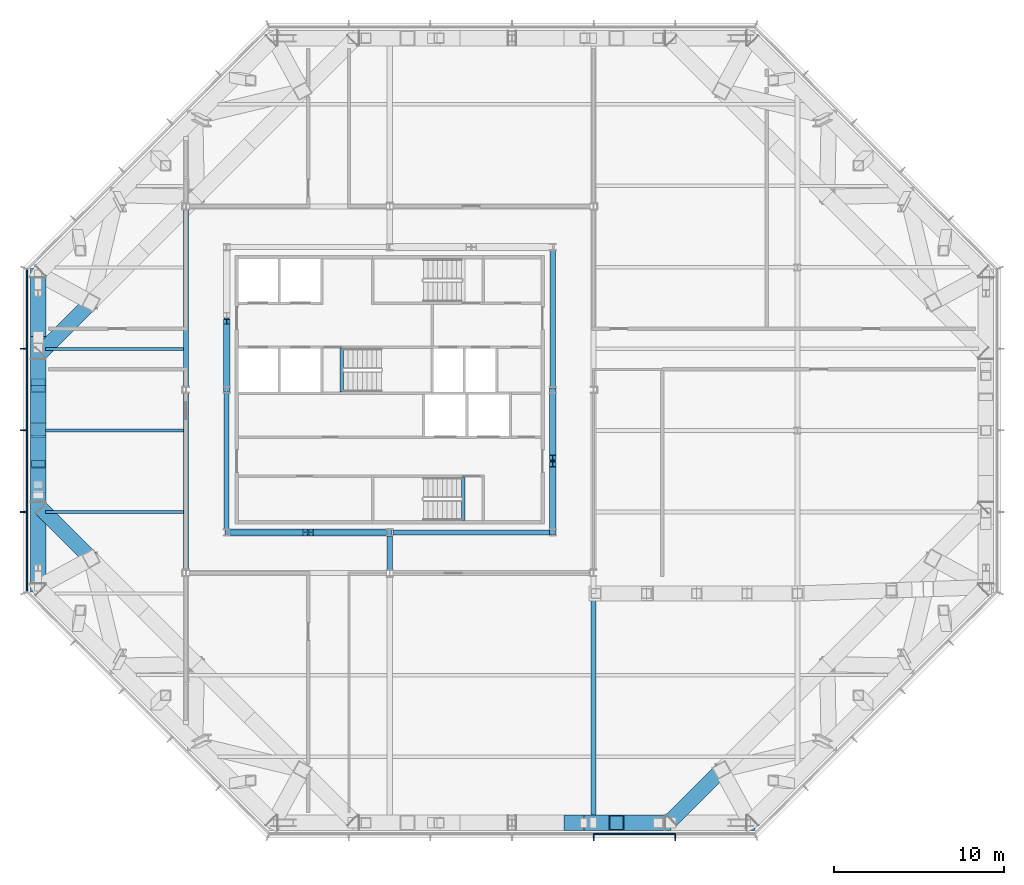
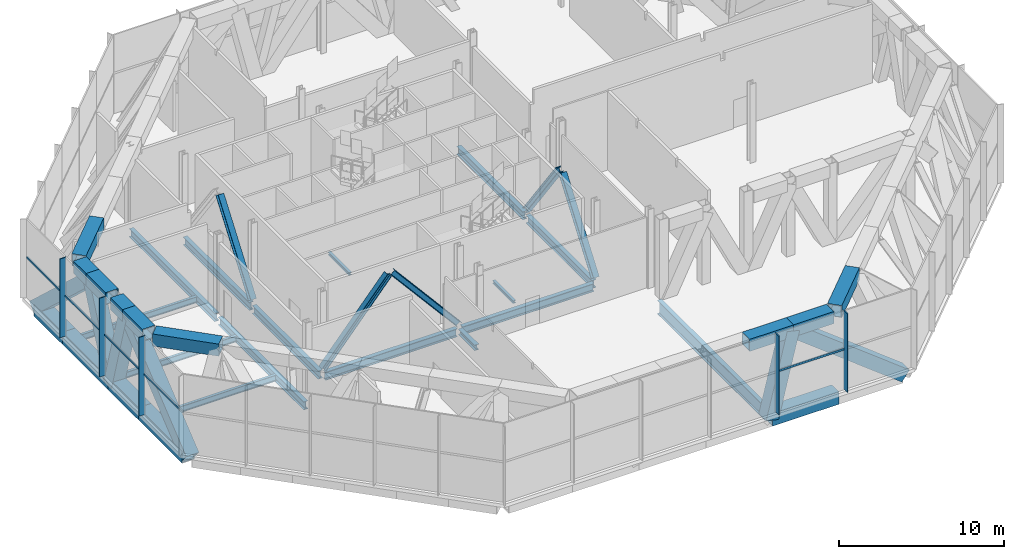
# One storey, part 4 of 18: 35 beams, 15 members, 2 elements without a shape of their own.
"""IFC4 building model written with IfcOpenShell, lengths in metres."""

from ifc_helpers import new_model, si_unit, direction, frame, origin, origin_2d, place, context, subcontext, project, spatial, rectangle, hollow_rectangle, i_section, extrude, material, material_profile, profile_set, type_object, element, aggregate, save


model = new_model("IFC4")

# Units and contexts
model_context = context("Model", 3, precision=1e-05, world=origin(), true_north=direction((0.0, 1.0)))
body_context = subcontext(model_context, "Body", "Model", "MODEL_VIEW")
ifc_project = project(units=[si_unit("LENGTHUNIT", "METRE"), si_unit("AREAUNIT", "SQUARE_METRE"), si_unit("VOLUMEUNIT", "CUBIC_METRE"), si_unit("PLANEANGLEUNIT", "RADIAN"), si_unit("MASSUNIT", "GRAM", prefix="KILO")], contexts=[model_context])

# Site, building, storey
site_placement = place(None, origin())
site = spatial("IfcSite", under=ifc_project, at=site_placement, CompositionType="ELEMENT")
building_placement = place(site_placement, origin())
building = spatial("IfcBuilding", under=site, at=building_placement, Name="Cairn Pilgrim Tower", CompositionType="ELEMENT")
storey_placement = place(building_placement, frame((0.0, 0.0, 204.60009765625)))
storey = spatial("IfcBuildingStorey", under=building, at=storey_placement, Name="L52", CompositionType="ELEMENT", Elevation=204.60009765625)

# Beams
ifc_material_1 = material(Name="Structural steel S460M", Category="steel")
ifc_material_profile_1 = material_profile(ifc_material_1, hollow_rectangle(XDim=0.89990234375, YDim=0.89990234375, WallThickness=0.050048828125, at=origin_2d()), Name="BOX 900x900x50")
ifc_profile_set_1 = profile_set([ifc_material_profile_1], Name="Structural steel S460M")
beam_type_1 = type_object("IfcBeamType", Name="BOX 900x900x50 CHORD", PredefinedType="USERDEFINED", material=ifc_profile_set_1)
beam_1_placement = place(storey_placement, frame((19.07568359375, -23.10009765625, -0.7001953125), z_axis=(1.0, 0.0, 0.0), x_axis=(0.0, 1.0, 0.0)))
element("IfcBeam", 1, at=beam_1_placement, inside=storey, type_object=beam_type_1, Name="BT52-S-BC5", ObjectType="CHORD", PredefinedType="USERDEFINED", context=body_context, shape_type="SweptSolid", body=[
    extrude(hollow_rectangle(XDim=0.89990234375, YDim=0.89990234375, WallThickness=0.050048828125, at=origin_2d()), origin(), (0.0, 0.0, 1.0), 4.67578125),
])
beam_2_placement = place(storey_placement, frame((17.4755859375, -23.10009765625, 5.39990234375), z_axis=(1.0, 0.0, 0.0), x_axis=(0.0, 1.0, 0.0)))
element("IfcBeam", 2, at=beam_2_placement, inside=storey, type_object=beam_type_1, Name="BT52-S-TC5", ObjectType="CHORD", PredefinedType="USERDEFINED", context=body_context, shape_type="SweptSolid", body=[
    extrude(hollow_rectangle(XDim=0.89990234375, YDim=0.89990234375, WallThickness=0.050048828125, at=origin_2d()), origin(), (0.0, 0.0, 1.0), 3.075927734375),
])
beam_3_placement = place(storey_placement, frame((20.551513671875, -23.10009765625, 5.39990234375), z_axis=(1.0, 0.0, 0.0), x_axis=(0.0, 1.0, 0.0)))
element("IfcBeam", 3, at=beam_3_placement, inside=storey, type_object=beam_type_1, Name="BT52-S-TC6", ObjectType="CHORD", PredefinedType="USERDEFINED", context=body_context, shape_type="SweptSolid", body=[
    extrude(hollow_rectangle(XDim=0.89990234375, YDim=0.89990234375, WallThickness=0.050048828125, at=origin_2d()), origin(), (0.0, 0.0, 1.0), 2.83935546875),
])
beam_4_placement = place(storey_placement, frame((23.79443359375, -22.932861328125, 5.39990234375), z_axis=(0.707077470453, 0.707136090705, 0.0), x_axis=(-0.707136090705, 0.707077470453, 0.0)))
element("IfcBeam", 4, at=beam_4_placement, inside=storey, type_object=beam_type_1, Name="BT52-SE-TC1", ObjectType="CHORD", PredefinedType="USERDEFINED", context=body_context, shape_type="SweptSolid", body=[
    extrude(hollow_rectangle(XDim=0.89990234375, YDim=0.89990234375, WallThickness=0.050048828125, at=origin_2d()), origin(), (0.0, 0.0, 1.0), 4.164794921875),
])
beam_5_placement = place(storey_placement, frame((-10.387939453125, 7.539306640625, 5.39990234375), z_axis=(-0.707106781187, -0.707106781187, 0.0), x_axis=(0.707106781187, -0.707106781187, 0.0)))
element("IfcBeam", 5, at=beam_5_placement, inside=storey, type_object=beam_type_1, Name="BT52-NW-TC6", ObjectType="CHORD", PredefinedType="USERDEFINED", context=body_context, shape_type="SweptSolid", body=[
    extrude(hollow_rectangle(XDim=0.89990234375, YDim=0.89990234375, WallThickness=0.050048828125, at=origin_2d()), origin(), (0.0, 0.0, 1.0), 4.16455078125),
])
beam_6_placement = place(storey_placement, frame((-13.5, 8.99072265625, -0.7001953125), z_axis=(0.0, -1.0, 0.0), x_axis=(1.0, 0.0, 0.0)))
element("IfcBeam", 6, at=beam_6_placement, inside=storey, type_object=beam_type_1, Name="BT52-W-BC1", ObjectType="CHORD", PredefinedType="USERDEFINED", context=body_context, shape_type="SweptSolid", body=[
    extrude(hollow_rectangle(XDim=0.89990234375, YDim=0.89990234375, WallThickness=0.050048828125, at=origin_2d()), origin(), (0.0, 0.0, 1.0), 3.454345703125),
])
beam_7_placement = place(storey_placement, frame((-13.5, 4.19091796875, 5.39990234375), z_axis=(0.0, -1.0, 0.0), x_axis=(1.0, 0.0, 0.0)))
element("IfcBeam", 7, at=beam_7_placement, inside=storey, type_object=beam_type_1, Name="BT52-W-TC1", ObjectType="CHORD", PredefinedType="USERDEFINED", context=body_context, shape_type="SweptSolid", body=[
    extrude(hollow_rectangle(XDim=0.89990234375, YDim=0.89990234375, WallThickness=0.050048828125, at=origin_2d()), origin(), (0.0, 0.0, 1.0), 1.53466796875),
])
beam_8_placement = place(storey_placement, frame((-13.5, 5.536376953125, -0.7001953125), z_axis=(0.0, -1.0, 0.0), x_axis=(1.0, 0.0, 0.0)))
element("IfcBeam", 8, at=beam_8_placement, inside=storey, type_object=beam_type_1, Name="BT52-W-BC2", ObjectType="CHORD", PredefinedType="USERDEFINED", context=body_context, shape_type="SweptSolid", body=[
    extrude(hollow_rectangle(XDim=0.89990234375, YDim=0.89990234375, WallThickness=0.050048828125, at=origin_2d()), origin(), (0.0, 0.0, 1.0), 5.536376953125),
])
beam_9_placement = place(storey_placement, frame((-13.5, 2.65625, 5.39990234375), z_axis=(0.0, -1.0, 0.0), x_axis=(1.0, 0.0, 0.0)))
element("IfcBeam", 9, at=beam_9_placement, inside=storey, type_object=beam_type_1, Name="BT52-W-TC2", ObjectType="CHORD", PredefinedType="USERDEFINED", context=body_context, shape_type="SweptSolid", body=[
    extrude(hollow_rectangle(XDim=0.89990234375, YDim=0.89990234375, WallThickness=0.050048828125, at=origin_2d()), origin(), (0.0, 0.0, 1.0), 2.356201171875),
])
beam_10_placement = place(storey_placement, frame((-13.5, 0.0, -0.7001953125), z_axis=(0.0, -1.0, 0.0), x_axis=(1.0, 0.0, 0.0)))
element("IfcBeam", 10, at=beam_10_placement, inside=storey, type_object=beam_type_1, Name="BT52-W-BC3", ObjectType="CHORD", PredefinedType="USERDEFINED", context=body_context, shape_type="SweptSolid", body=[
    extrude(hollow_rectangle(XDim=0.89990234375, YDim=0.89990234375, WallThickness=0.050048828125, at=origin_2d()), origin(), (0.0, 0.0, 1.0), 3.69091796875),
])
beam_11_placement = place(storey_placement, frame((-13.5, -0.300048828125, 5.39990234375), z_axis=(0.0, -1.0, 0.0), x_axis=(1.0, 0.0, 0.0)))
element("IfcBeam", 11, at=beam_11_placement, inside=storey, type_object=beam_type_1, Name="BT52-W-TC3", ObjectType="CHORD", PredefinedType="USERDEFINED", context=body_context, shape_type="SweptSolid", body=[
    extrude(hollow_rectangle(XDim=0.89990234375, YDim=0.89990234375, WallThickness=0.050048828125, at=origin_2d()), origin(), (0.0, 0.0, 1.0), 1.470947265625),
])
beam_12_placement = place(storey_placement, frame((-13.5, -3.69091796875, -0.7001953125), z_axis=(0.0, -1.0, 0.0), x_axis=(1.0, 0.0, 0.0)))
element("IfcBeam", 12, at=beam_12_placement, inside=storey, type_object=beam_type_1, Name="BT52-W-BC4", ObjectType="CHORD", PredefinedType="USERDEFINED", context=body_context, shape_type="SweptSolid", body=[
    extrude(hollow_rectangle(XDim=0.89990234375, YDim=0.89990234375, WallThickness=0.050048828125, at=origin_2d()), origin(), (0.0, 0.0, 1.0), 5.2998046875),
])
beam_13_placement = place(storey_placement, frame((-13.5, -1.77099609375, 5.39990234375), z_axis=(0.0, -1.0, 0.0), x_axis=(1.0, 0.0, 0.0)))
element("IfcBeam", 13, at=beam_13_placement, inside=storey, type_object=beam_type_1, Name="BT52-W-TC4", ObjectType="CHORD", PredefinedType="USERDEFINED", context=body_context, shape_type="SweptSolid", body=[
    extrude(hollow_rectangle(XDim=0.89990234375, YDim=0.89990234375, WallThickness=0.050048828125, at=origin_2d()), origin(), (0.0, 0.0, 1.0), 2.419921875),
])
beam_14_placement = place(storey_placement, frame((-13.332763671875, -4.594482421875, 5.39990234375), z_axis=(0.707106781187, -0.707106781187, 0.0), x_axis=(0.707106781187, 0.707106781187, 0.0)))
element("IfcBeam", 14, at=beam_14_placement, inside=storey, type_object=beam_type_1, Name="BT52-SW-TC1", ObjectType="CHORD", PredefinedType="USERDEFINED", context=body_context, shape_type="SweptSolid", body=[
    extrude(hollow_rectangle(XDim=0.89990234375, YDim=0.89990234375, WallThickness=0.050048828125, at=origin_2d()), origin(), (0.0, 0.0, 1.0), 4.16455078125),
])
ifc_material_profile_2 = material_profile(ifc_material_1, hollow_rectangle(XDim=0.89990234375, YDim=0.89990234375, WallThickness=0.050048828125, at=origin_2d()), Name="BOX 900x900x50")
ifc_profile_set_2 = profile_set([ifc_material_profile_2], Name="Structural steel S460M")
beam_type_2 = type_object("IfcBeamType", Name="BOX 900x900x50 DIAGONAL", PredefinedType="USERDEFINED", material=ifc_profile_set_2)
beam_15_placement = place(storey_placement, frame((19.07568359375, -23.10009765625, -0.7001953125), z_axis=(0.235151316301, 0.0, 0.971958774044), x_axis=(0.0, 1.0, 0.0)))
element("IfcBeam", 15, at=beam_15_placement, inside=storey, type_object=beam_type_2, Name="BT52-S-D5", ObjectType="DIAGONAL", PredefinedType="USERDEFINED", context=body_context, shape_type="SweptSolid", body=[
    extrude(hollow_rectangle(XDim=0.89990234375, YDim=0.89990234375, WallThickness=0.050048828125, at=origin_2d()), origin(), (0.0, 0.0, 1.0), 6.276123046875),
])
beam_16_placement = place(storey_placement, frame((20.551513671875, -23.10009765625, 5.39990234375), z_axis=(0.790589750106, 0.0, -0.612346182341), x_axis=(0.0, 1.0, 0.0)))
element("IfcBeam", 16, at=beam_16_placement, inside=storey, type_object=beam_type_2, Name="BT52-S-D6", ObjectType="DIAGONAL", PredefinedType="USERDEFINED", context=body_context, shape_type="SweptSolid", body=[
    extrude(hollow_rectangle(XDim=0.89990234375, YDim=0.89990234375, WallThickness=0.050048828125, at=origin_2d()), origin(), (0.0, 0.0, 1.0), 9.9619140625),
])
beam_17_placement = place(storey_placement, frame((-13.5, 9.227294921875, -0.7001953125), z_axis=(0.0, -0.732881738853, 0.680356051532), x_axis=(1.0, 0.0, 0.0)))
element("IfcBeam", 17, at=beam_17_placement, inside=storey, type_object=beam_type_2, Name="BT52-W-D1", ObjectType="DIAGONAL", PredefinedType="USERDEFINED", context=body_context, shape_type="SweptSolid", body=[
    extrude(hollow_rectangle(XDim=0.89990234375, YDim=0.89990234375, WallThickness=0.050048828125, at=origin_2d()), origin(), (0.0, 0.0, 1.0), 8.966064453125),
])
beam_18_placement = place(storey_placement, frame((-13.5, 2.65625, 5.39990234375), z_axis=(0.0, -0.399235922188, -0.916848230862), x_axis=(1.0, 0.0, 0.0)))
element("IfcBeam", 18, at=beam_18_placement, inside=storey, type_object=beam_type_2, Name="BT52-W-D2", ObjectType="DIAGONAL", PredefinedType="USERDEFINED", context=body_context, shape_type="SweptSolid", body=[
    extrude(hollow_rectangle(XDim=0.89990234375, YDim=0.89990234375, WallThickness=0.050048828125, at=origin_2d()), origin(), (0.0, 0.0, 1.0), 6.6533203125),
])
beam_19_placement = place(storey_placement, frame((-13.5, 0.0, -0.7001953125), z_axis=(0.0, -0.278810194864, 0.960346226754), x_axis=(1.0, 0.0, 0.0)))
element("IfcBeam", 19, at=beam_19_placement, inside=storey, type_object=beam_type_2, Name="BT52-W-D3", ObjectType="DIAGONAL", PredefinedType="USERDEFINED", context=body_context, shape_type="SweptSolid", body=[
    extrude(hollow_rectangle(XDim=0.89990234375, YDim=0.89990234375, WallThickness=0.050048828125, at=origin_2d()), origin(), (0.0, 0.0, 1.0), 6.35205078125),
])
beam_20_placement = place(storey_placement, frame((-13.5, -1.77099609375, 5.39990234375), z_axis=(0.0, -0.773983268274, -0.633206048954), x_axis=(1.0, 0.0, 0.0)))
element("IfcBeam", 20, at=beam_20_placement, inside=storey, type_object=beam_type_2, Name="BT52-W-D4", ObjectType="DIAGONAL", PredefinedType="USERDEFINED", context=body_context, shape_type="SweptSolid", body=[
    extrude(hollow_rectangle(XDim=0.89990234375, YDim=0.89990234375, WallThickness=0.050048828125, at=origin_2d()), origin(), (0.0, 0.0, 1.0), 9.6337890625),
])

# Curtain wall, members
ifc_material_2 = material(Name="Aluminium alloy 6063-T6 bronze anodised with Bronze tinted laminated low-E glass 8+16+8.8", Category="aluminium")
curtain_wall_type = type_object("IfcCurtainWallType", Name="PLANT LOUVRE CURTAIN WALL", PredefinedType="NOTDEFINED", material=ifc_material_2)
curtain_wall_1_placement = place(storey_placement, origin())
curtain_wall_1 = element("IfcCurtainWall", 21, at=curtain_wall_1_placement, inside=storey, type_object=curtain_wall_type, Name="Plant Louvre Curtain Wall S", PredefinedType="NOTDEFINED")
ifc_material_3 = material(Name="Aluminium alloy 6063-T6 bronze anodised", Category="aluminium")
ifc_material_profile_3 = material_profile(ifc_material_3, rectangle(XDim=0.449951171875, YDim=0.06005859375, at=origin_2d()), Name="FIN MULLION 60x450 BRONZE")
ifc_profile_set_3 = profile_set([ifc_material_profile_3], Name="Aluminium alloy 6063-T6 bronze anodised")
member_type_1 = type_object("IfcMemberType", Name="FIN MULLION 60x450 BRONZE", PredefinedType="MULLION", material=ifc_profile_set_3)
member_1_placement = place(storey_placement, frame((19.199951171875, -23.945068359375, 0.0), z_axis=(0.0, 0.0, 1.0), x_axis=(0.0, -1.0, 0.0)))
member_1 = element("IfcMember", 22, at=member_1_placement, type_object=member_type_1, Name="Fin mullion S5", PredefinedType="MULLION", context=body_context, shape_type="SweptSolid", body=[
    extrude(rectangle(XDim=0.449951171875, YDim=0.06005859375, at=origin_2d()), origin(), (0.0, 0.0, 1.0), 5.849853515625),
])
member_2_placement = place(storey_placement, frame((24.0, -23.945068359375, 0.0), z_axis=(0.0, 0.0, 1.0), x_axis=(0.0, -1.0, 0.0)))
member_2 = element("IfcMember", 23, at=member_2_placement, type_object=member_type_1, Name="Fin mullion S6", PredefinedType="MULLION", context=body_context, shape_type="SweptSolid", body=[
    extrude(rectangle(XDim=0.449951171875, YDim=0.06005859375, at=origin_2d()), origin(), (0.0, 0.0, 1.0), 5.849853515625),
])

curtain_wall_2_placement = place(storey_placement, origin())
curtain_wall_2 = element("IfcCurtainWall", 24, at=curtain_wall_2_placement, inside=storey, type_object=curtain_wall_type, Name="Plant Louvre Curtain Wall W", PredefinedType="NOTDEFINED")
member_3_placement = place(storey_placement, frame((-14.344970703125, 4.800048828125, 0.0), z_axis=(0.0, 0.0, 1.0), x_axis=(-1.0, 0.0, 0.0)))
member_3 = element("IfcMember", 25, at=member_3_placement, type_object=member_type_1, Name="Fin mullion W2", PredefinedType="MULLION", context=body_context, shape_type="SweptSolid", body=[
    extrude(rectangle(XDim=0.449951171875, YDim=0.06005859375, at=origin_2d()), origin(), (0.0, 0.0, 1.0), 5.849853515625),
])
member_4_placement = place(storey_placement, frame((-14.344970703125, 0.0, 0.0), z_axis=(0.0, 0.0, 1.0), x_axis=(-1.0, 0.0, 0.0)))
member_4 = element("IfcMember", 26, at=member_4_placement, type_object=member_type_1, Name="Fin mullion W3", PredefinedType="MULLION", context=body_context, shape_type="SweptSolid", body=[
    extrude(rectangle(XDim=0.449951171875, YDim=0.06005859375, at=origin_2d()), origin(), (0.0, 0.0, 1.0), 5.849853515625),
])
member_5_placement = place(storey_placement, frame((-14.344970703125, -4.800048828125, 0.0), z_axis=(0.0, 0.0, 1.0), x_axis=(-1.0, 0.0, 0.0)))
member_5 = element("IfcMember", 27, at=member_5_placement, type_object=member_type_1, Name="Fin mullion W4", PredefinedType="MULLION", context=body_context, shape_type="SweptSolid", body=[
    extrude(rectangle(XDim=0.449951171875, YDim=0.06005859375, at=origin_2d()), origin(), (0.0, 0.0, 1.0), 5.849853515625),
])

# Members
ifc_material_4 = material(Name="Structural steel S355J2", Category="steel")
ifc_material_profile_4 = material_profile(ifc_material_4, i_section(OverallWidth=0.39794921875, OverallDepth=0.386962890625, WebThickness=0.02099609375, FlangeThickness=0.033203125, FilletRadius=0.014892578125, at=origin_2d()), Name="HD 400x262")
ifc_profile_set_4 = profile_set([ifc_material_profile_4], Name="Structural steel S355J2")
member_type_2 = type_object("IfcMemberType", Name="HD 400x262 BRACE", PredefinedType="BRACE", material=ifc_profile_set_4)
for number, where, z_axis, x_axis, name in (
    (28, (-2.359619140625, -6.0, 0.0), (0.647412441599, 0.0, 0.762139836554), (0.0, 1.0, 0.0), "KB-1A"),
    (29, (7.15966796875, -6.0, 0.0), (-0.647412441599, 0.0, 0.762139836554), (0.0, -1.0, 0.0), "KB-1B"),
):
    element("IfcMember", number, at=place(storey_placement, frame(where, z_axis=z_axis, x_axis=x_axis)), inside=storey, type_object=member_type_2, Name=name, PredefinedType="BRACE", context=body_context, shape_type="SweptSolid", body=[
        extrude(i_section(OverallWidth=0.39794921875, OverallDepth=0.386962890625, WebThickness=0.02099609375, FlangeThickness=0.033203125, FilletRadius=0.014892578125, at=origin_2d()), origin(), (0.0, 0.0, 1.0), 7.08837890625),
    ])
for number, where, z_axis, x_axis, name in (
    (30, (16.800048828125, -5.959716796875, 0.0), (0.0, 0.592324423142, 0.805699557993), (-1.0, 0.0, 0.0), "KB-2A"),
    (31, (16.800048828125, 2.359619140625, 0.0), (0.0, -0.592324423142, 0.805699557993), (1.0, 0.0, 0.0), "KB-2B"),
    (32, (-2.39990234375, 2.4404296875, 0.0), (0.0, 0.592324423142, 0.805699557993), (-1.0, 0.0, 0.0), "KB-4B"),
):
    element("IfcMember", number, at=place(storey_placement, frame(where, z_axis=z_axis, x_axis=x_axis)), inside=storey, type_object=member_type_2, Name=name, PredefinedType="BRACE", context=body_context, shape_type="SweptSolid", body=[
        extrude(i_section(OverallWidth=0.39794921875, OverallDepth=0.386962890625, WebThickness=0.02099609375, FlangeThickness=0.033203125, FilletRadius=0.014892578125, at=origin_2d()), origin(), (0.0, 0.0, 1.0), 6.7060546875),
    ])

# Beams
ifc_material_profile_5 = material_profile(ifc_material_4, i_section(OverallWidth=0.300048828125, OverallDepth=0.39990234375, WebThickness=0.013427734375, FlangeThickness=0.02392578125, FilletRadius=0.027099609375, at=origin_2d()), Name="HEB 400")
ifc_profile_set_5 = profile_set([ifc_material_profile_5], Name="Structural steel S355J2")
beam_type_3 = type_object("IfcBeamType", Name="HEB 400 GIRDER", PredefinedType="BEAM", material=ifc_profile_set_5)
beam_21_placement = place(storey_placement, frame((7.199951171875, -8.200439453125, -0.4501953125), z_axis=(0.0, 1.0, 0.0), x_axis=(-1.0, 0.0, 0.0)))
element("IfcBeam", 33, at=beam_21_placement, inside=storey, type_object=beam_type_3, Name="PG3-E1", PredefinedType="BEAM", context=body_context, shape_type="SweptSolid", body=[
    extrude(i_section(OverallWidth=0.300048828125, OverallDepth=0.39990234375, WebThickness=0.013427734375, FlangeThickness=0.02392578125, FilletRadius=0.027099609375, at=origin_2d()), origin(), (0.0, 0.0, 1.0), 1.99853515625),
])
ifc_material_profile_6 = material_profile(ifc_material_4, i_section(OverallWidth=0.300048828125, OverallDepth=0.60009765625, WebThickness=0.015380859375, FlangeThickness=0.030029296875, FilletRadius=0.027099609375, at=origin_2d()), Name="HEB 600")
ifc_profile_set_6 = profile_set([ifc_material_profile_6], Name="Structural steel S355J2")
beam_type_4 = type_object("IfcBeamType", Name="HEB 600 CORE BEAM", PredefinedType="BEAM", material=ifc_profile_set_6)
beam_22_placement = place(storey_placement, frame((-2.21826171875, -6.0, -0.550048828125), z_axis=(1.0, 0.0, 0.0), x_axis=(0.0, 1.0, 0.0)))
element("IfcBeam", 34, at=beam_22_placement, inside=storey, type_object=beam_type_4, Name="CB-1", PredefinedType="BEAM", context=body_context, shape_type="SweptSolid", body=[
    extrude(i_section(OverallWidth=0.300048828125, OverallDepth=0.60009765625, WebThickness=0.015380859375, FlangeThickness=0.030029296875, FilletRadius=0.027099609375, at=origin_2d()), origin(), (0.0, 0.0, 1.0), 9.236572265625),
])
beam_23_placement = place(storey_placement, frame((7.3818359375, -6.0, -0.550048828125), z_axis=(1.0, 0.0, 0.0), x_axis=(0.0, 1.0, 0.0)))
element("IfcBeam", 35, at=beam_23_placement, inside=storey, type_object=beam_type_4, Name="CB-2", PredefinedType="BEAM", context=body_context, shape_type="SweptSolid", body=[
    extrude(i_section(OverallWidth=0.300048828125, OverallDepth=0.60009765625, WebThickness=0.015380859375, FlangeThickness=0.030029296875, FilletRadius=0.027099609375, at=origin_2d()), origin(), (0.0, 0.0, 1.0), 9.236328125),
])
for number, where, z_axis, x_axis, name in (
    (36, (16.800048828125, -5.818115234375, -0.550048828125), (0.0, 1.0, 0.0), (-1.0, 0.0, 0.0), "CB-3"),
    (37, (16.800048828125, 2.581787109375, -0.550048828125), (0.0, 1.0, 0.0), (-1.0, 0.0, 0.0), "CB-4"),
    (38, (-2.39990234375, 10.6181640625, -0.550048828125), (0.0, -1.0, 0.0), (1.0, 0.0, 0.0), "CB-7"),
    (39, (-2.39990234375, 2.21826171875, -0.550048828125), (0.0, -1.0, 0.0), (1.0, 0.0, 0.0), "CB-8"),
):
    element("IfcBeam", number, at=place(storey_placement, frame(where, z_axis=z_axis, x_axis=x_axis)), inside=storey, type_object=beam_type_4, Name=name, PredefinedType="BEAM", context=body_context, shape_type="SweptSolid", body=[
        extrude(i_section(OverallWidth=0.300048828125, OverallDepth=0.60009765625, WebThickness=0.015380859375, FlangeThickness=0.030029296875, FilletRadius=0.027099609375, at=origin_2d()), origin(), (0.0, 0.0, 1.0), 8.036376953125),
    ])
ifc_material_profile_7 = material_profile(ifc_material_4, i_section(OverallWidth=0.300048828125, OverallDepth=0.60009765625, WebThickness=0.015380859375, FlangeThickness=0.030029296875, FilletRadius=0.027099609375, at=origin_2d()), Name="HEB 600")
ifc_profile_set_7 = profile_set([ifc_material_profile_7], Name="Structural steel S355J2")
beam_type_5 = type_object("IfcBeamType", Name="HEB 600 GIRDER", PredefinedType="BEAM", material=ifc_profile_set_7)
for number, where, z_axis, x_axis, name in (
    (40, (-4.800048828125, -8.200439453125, -0.550048828125), (0.0, 1.0, 0.0), (-1.0, 0.0, 0.0), "PG2-2"),
    (41, (-4.800048828125, 2.599609375, -0.550048828125), (0.0, 1.0, 0.0), (-1.0, 0.0, 0.0), "PG2-3"),
):
    element("IfcBeam", number, at=place(storey_placement, frame(where, z_axis=z_axis, x_axis=x_axis)), inside=storey, type_object=beam_type_5, Name=name, PredefinedType="BEAM", context=body_context, shape_type="SweptSolid", body=[
        extrude(i_section(OverallWidth=0.300048828125, OverallDepth=0.60009765625, WebThickness=0.015380859375, FlangeThickness=0.030029296875, FilletRadius=0.027099609375, at=origin_2d()), origin(), (0.0, 0.0, 1.0), 10.40087890625),
    ])
ifc_material_profile_8 = material_profile(ifc_material_4, i_section(OverallWidth=0.302001953125, OverallDepth=1.008056640625, WebThickness=0.02099609375, FlangeThickness=0.0400390625, FilletRadius=0.030029296875, at=origin_2d()), Name="HEM 1000")
ifc_profile_set_8 = profile_set([ifc_material_profile_8], Name="Structural steel S355J2")
beam_type_6 = type_object("IfcBeamType", Name="HEM 1000 GIRDER", PredefinedType="BEAM", material=ifc_profile_set_8)
beam_24_placement = place(storey_placement, frame((19.199951171875, -22.679931640625, -0.754150390625), z_axis=(0.0, 1.0, 0.0), x_axis=(-1.0, 0.0, 0.0)))
element("IfcBeam", 42, at=beam_24_placement, inside=storey, type_object=beam_type_6, Name="PG4-1", PredefinedType="BEAM", context=body_context, shape_type="SweptSolid", body=[
    extrude(i_section(OverallWidth=0.302001953125, OverallDepth=1.008056640625, WebThickness=0.02099609375, FlangeThickness=0.0400390625, FilletRadius=0.030029296875, at=origin_2d()), origin(), (0.0, 0.0, 1.0), 13.079833984375),
])
ifc_material_profile_9 = material_profile(ifc_material_4, i_section(OverallWidth=0.18994140625, OverallDepth=0.449951171875, WebThickness=0.009521484375, FlangeThickness=0.0146484375, FilletRadius=0.02099609375, at=origin_2d()), Name="IPE 450")
ifc_profile_set_9 = profile_set([ifc_material_profile_9], Name="Structural steel S355J2")
beam_type_7 = type_object("IfcBeamType", Name="IPE 450 SECONDARY BEAM", PredefinedType="JOIST", material=ifc_profile_set_9)
for number, where, z_axis, x_axis, name in (
    (43, (-13.080078125, -4.800048828125, -0.47509765625), (1.0, 0.0, 0.0), (0.0, 1.0, 0.0), "SB4-1"),
    (44, (-13.080078125, 0.0, -0.47509765625), (1.0, 0.0, 0.0), (0.0, 1.0, 0.0), "SB5-1"),
    (45, (-13.080078125, 4.800048828125, -0.47509765625), (1.0, 0.0, 0.0), (0.0, 1.0, 0.0), "SB6-1"),
):
    element("IfcBeam", number, at=place(storey_placement, frame(where, z_axis=z_axis, x_axis=x_axis)), inside=storey, type_object=beam_type_7, Name=name, PredefinedType="JOIST", context=body_context, shape_type="SweptSolid", body=[
        extrude(i_section(OverallWidth=0.18994140625, OverallDepth=0.449951171875, WebThickness=0.009521484375, FlangeThickness=0.0146484375, FilletRadius=0.02099609375, at=origin_2d()), origin(), (0.0, 0.0, 1.0), 8.130126953125),
    ])
ifc_material_profile_10 = material_profile(ifc_material_4, i_section(OverallWidth=0.199951171875, OverallDepth=0.199951171875, WebThickness=0.009033203125, FlangeThickness=0.014892578125, FilletRadius=0.01806640625, at=origin_2d()), Name="HE 200 B")
ifc_profile_set_10 = profile_set([ifc_material_profile_10], Name="Structural steel S355J2")
beam_type_8 = type_object("IfcBeamType", Name="STAIR LANDING BEAM HE 200 B", PredefinedType="BEAM", material=ifc_profile_set_10)
beam_25_placement = place(storey_placement, frame((11.5244140625, -2.77490234375, -0.35009765625), z_axis=(0.0, -1.0, 0.0), x_axis=(1.0, 0.0, 0.0)))
element("IfcBeam", 46, at=beam_25_placement, inside=storey, type_object=beam_type_8, Name="STAIR LANDING BEAM LD-HE200B", PredefinedType="BEAM", context=body_context, shape_type="SweptSolid", body=[
    extrude(i_section(OverallWidth=0.199951171875, OverallDepth=0.199951171875, WebThickness=0.009033203125, FlangeThickness=0.014892578125, FilletRadius=0.01806640625, at=origin_2d()), origin(), (0.0, 0.0, 1.0), 2.525146484375),
])
beam_26_placement = place(storey_placement, frame((4.37548828125, 2.27490234375, -0.35009765625), z_axis=(0.0, 1.0, 0.0), x_axis=(-1.0, 0.0, 0.0)))
element("IfcBeam", 47, at=beam_26_placement, inside=storey, type_object=beam_type_8, Name="STAIR LANDING BEAM LD-HE200B", PredefinedType="BEAM", context=body_context, shape_type="SweptSolid", body=[
    extrude(i_section(OverallWidth=0.199951171875, OverallDepth=0.199951171875, WebThickness=0.009033203125, FlangeThickness=0.014892578125, FilletRadius=0.01806640625, at=origin_2d()), origin(), (0.0, 0.0, 1.0), 2.550048828125),
])

# Member
ifc_material_profile_11 = material_profile(ifc_material_3, rectangle(XDim=0.080078125, YDim=0.14990234375, at=origin_2d()), Name="TRANSOM 80x150 BRONZE")
ifc_profile_set_11 = profile_set([ifc_material_profile_11], Name="Aluminium alloy 6063-T6 bronze anodised")
member_type_3 = type_object("IfcMemberType", Name="TRANSOM 80x150 BRONZE", PredefinedType="USERDEFINED", material=ifc_profile_set_11)
member_6_placement = place(storey_placement, frame((19.22998046875, -23.75, 3.0), z_axis=(1.0, 0.0, 0.0), x_axis=(0.0, 1.0, 0.0)))
member_6 = element("IfcMember", 48, at=member_6_placement, type_object=member_type_3, Name="Transom S5", ObjectType="TRANSOM", PredefinedType="USERDEFINED", context=body_context, shape_type="SweptSolid", body=[
    extrude(rectangle(XDim=0.080078125, YDim=0.14990234375, at=origin_2d()), origin(), (0.0, 0.0, 1.0), 4.739990234375),
])

aggregate(curtain_wall_1, [member_1, member_2, member_6])

member_7_placement = place(storey_placement, frame((-14.14990234375, 9.45654296875, 3.0), z_axis=(0.0, -1.0, 0.0), x_axis=(1.0, 0.0, 0.0)))
member_7 = element("IfcMember", 49, at=member_7_placement, type_object=member_type_3, Name="Transom W1", ObjectType="TRANSOM", PredefinedType="USERDEFINED", context=body_context, shape_type="SweptSolid", body=[
    extrude(rectangle(XDim=0.080078125, YDim=0.14990234375, at=origin_2d()), origin(), (0.0, 0.0, 1.0), 4.62646484375),
])

member_8_placement = place(storey_placement, frame((-14.14990234375, 4.77001953125, 3.0), z_axis=(0.0, -1.0, 0.0), x_axis=(1.0, 0.0, 0.0)))
member_8 = element("IfcMember", 50, at=member_8_placement, type_object=member_type_3, Name="Transom W2", ObjectType="TRANSOM", PredefinedType="USERDEFINED", context=body_context, shape_type="SweptSolid", body=[
    extrude(rectangle(XDim=0.080078125, YDim=0.14990234375, at=origin_2d()), origin(), (0.0, 0.0, 1.0), 4.739990234375),
])

member_9_placement = place(storey_placement, frame((-14.14990234375, -0.030029296875, 3.0), z_axis=(0.0, -1.0, 0.0), x_axis=(1.0, 0.0, 0.0)))
member_9 = element("IfcMember", 51, at=member_9_placement, type_object=member_type_3, Name="Transom W3", ObjectType="TRANSOM", PredefinedType="USERDEFINED", context=body_context, shape_type="SweptSolid", body=[
    extrude(rectangle(XDim=0.080078125, YDim=0.14990234375, at=origin_2d()), origin(), (0.0, 0.0, 1.0), 4.739990234375),
])

member_10_placement = place(storey_placement, frame((-14.14990234375, -4.830078125, 3.0), z_axis=(0.0, -1.0, 0.0), x_axis=(1.0, 0.0, 0.0)))
member_10 = element("IfcMember", 52, at=member_10_placement, type_object=member_type_3, Name="Transom W4", ObjectType="TRANSOM", PredefinedType="USERDEFINED", context=body_context, shape_type="SweptSolid", body=[
    extrude(rectangle(XDim=0.080078125, YDim=0.14990234375, at=origin_2d()), origin(), (0.0, 0.0, 1.0), 4.62646484375),
])

aggregate(curtain_wall_2, [member_3, member_4, member_5, member_7, member_8, member_9, member_10])

save(model, "model.ifc")
